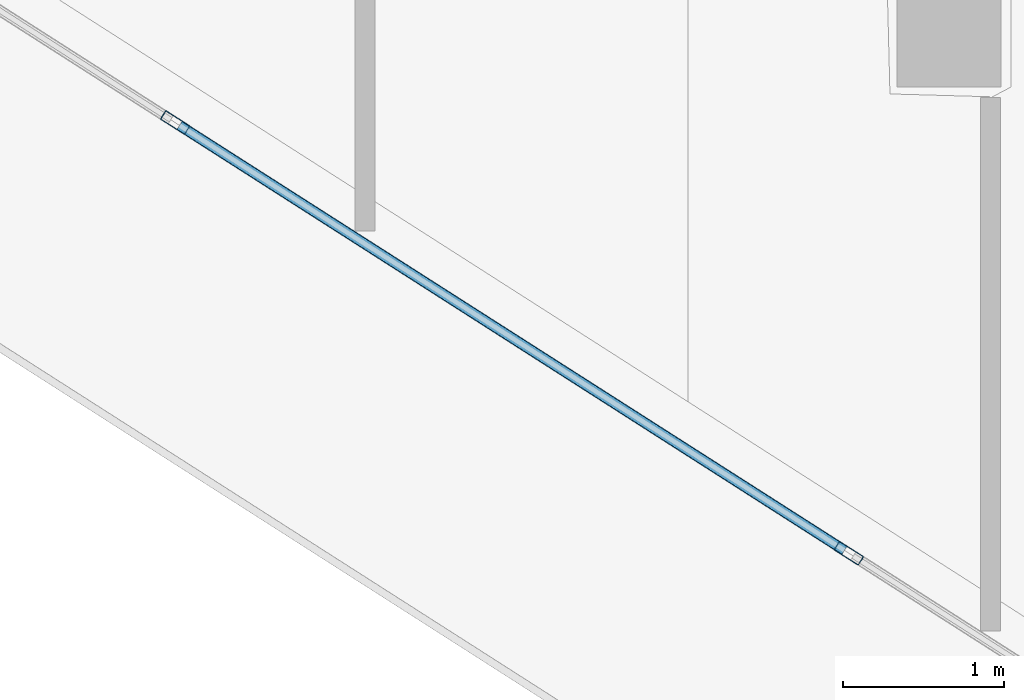
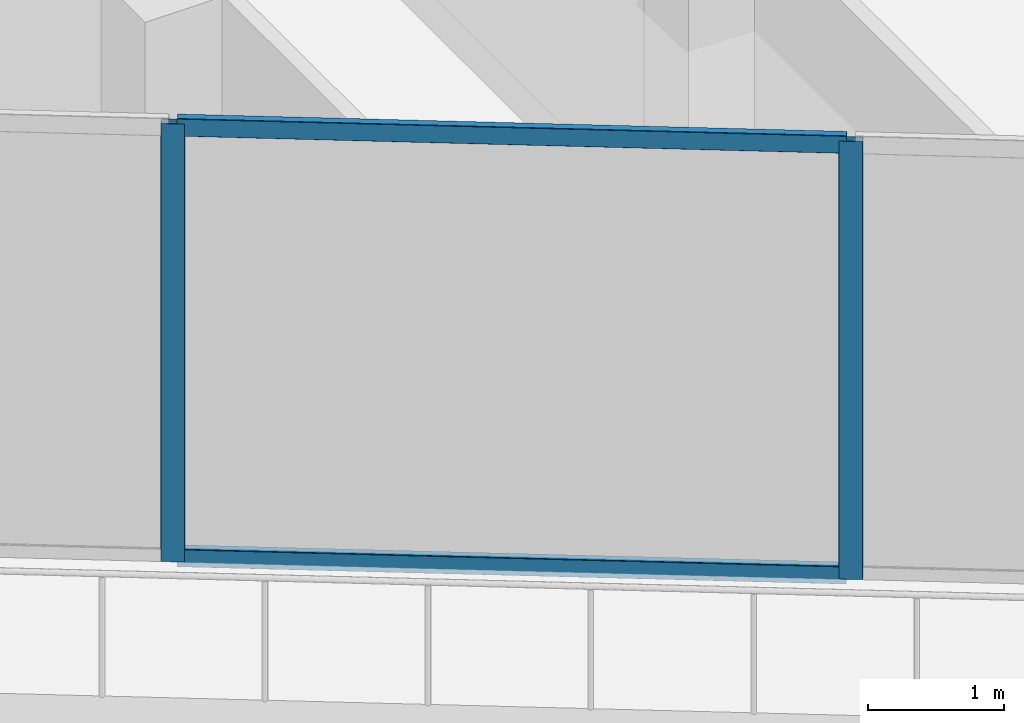
# One storey, part 2 of 44: 4 members, 1 element without a shape of its own.
"""IFC4 building model written with IfcOpenShell, lengths in metres."""

from ifc_helpers import new_model, si_unit, direction, frame, origin, origin_2d, place, context, subcontext, project, spatial, hollow_rectangle, extrude, material, layer, layer_set, material_profile, profile_set, type_object, element, aggregate, save


model = new_model("IFC4")

# Units and contexts
model_context = context("Model", 3, precision=1e-05, world=origin(), true_north=direction((0.0, 1.0)))
body_context = subcontext(model_context, "Body", "Model", "MODEL_VIEW")
ifc_project = project(units=[si_unit("LENGTHUNIT", "METRE"), si_unit("AREAUNIT", "SQUARE_METRE"), si_unit("VOLUMEUNIT", "CUBIC_METRE"), si_unit("PLANEANGLEUNIT", "RADIAN"), si_unit("MASSUNIT", "GRAM", prefix="KILO")], contexts=[model_context])

# Site, building, storey
site_placement = place(None, origin())
site = spatial("IfcSite", under=ifc_project, at=site_placement, CompositionType="ELEMENT")
building_placement = place(site_placement, origin())
building = spatial("IfcBuilding", under=site, at=building_placement, Name="Qorvath Tower", CompositionType="ELEMENT")
storey_placement = place(building_placement, frame((0.0, 0.0, 53.39990234375)))
storey = spatial("IfcBuildingStorey", under=building, at=storey_placement, Name="L11", CompositionType="ELEMENT", Elevation=53.39990234375)

# Curtain wall, members
ifc_material_1 = material(Name="Anodised aluminium and triple low-E glass", Category="aluminium")
ifc_layer = layer(ifc_material_1, 0.179931640625)
ifc_layer_set = layer_set([ifc_layer], Name="CW-SYS-2")
curtain_wall_type = type_object("IfcCurtainWallType", Name="CW-SYS-2", PredefinedType="NOTDEFINED", material=ifc_layer_set)
curtain_wall_placement = place(storey_placement, origin())
curtain_wall = element("IfcCurtainWall", 1, at=curtain_wall_placement, inside=storey, type_object=curtain_wall_type, Name="Curtain Wall CW-2 CW-T-L11-2.2", PredefinedType="NOTDEFINED")
ifc_material_2 = material(Name="Anodised aluminium 6063-T6", Category="aluminium")
ifc_material_profile_1 = material_profile(ifc_material_2, hollow_rectangle(XDim=0.06494140625, YDim=0.179931640625, WallThickness=0.00341796875, InnerFilletRadius=0.00341796875, OuterFilletRadius=0.007080078125, at=origin_2d()), Name="CWM 180x65")
ifc_profile_set_1 = profile_set([ifc_material_profile_1], Name="Anodised aluminium 6063-T6")
member_type_1 = type_object("IfcMemberType", Name="CWM-180", PredefinedType="MULLION", material=ifc_profile_set_1)
member_1_placement = place(storey_placement, frame((-35.832763671875, -20.006103515625, 0.0), z_axis=(0.0, 0.0, 1.0), x_axis=(0.538536571861, 0.842602136698, 0.0)))
member_1 = element("IfcMember", 2, at=member_1_placement, type_object=member_type_1, Name="CW-2 mullion 2", PredefinedType="MULLION", context=body_context, shape_type="SweptSolid", body=[
    extrude(hollow_rectangle(XDim=0.06494140625, YDim=0.179931640625, WallThickness=0.00341796875, InnerFilletRadius=0.00341796875, OuterFilletRadius=0.007080078125, at=origin_2d()), origin(), (0.0, 0.0, 1.0), 3.920166015625),
])
member_2_placement = place(storey_placement, frame((-31.63916015625, -22.6865234375, 0.0), z_axis=(0.0, 0.0, 1.0), x_axis=(0.538536571861, 0.842602136698, 0.0)))
member_2 = element("IfcMember", 3, at=member_2_placement, type_object=member_type_1, Name="CW-2 mullion 3", PredefinedType="MULLION", context=body_context, shape_type="SweptSolid", body=[
    extrude(hollow_rectangle(XDim=0.06494140625, YDim=0.179931640625, WallThickness=0.00341796875, InnerFilletRadius=0.00341796875, OuterFilletRadius=0.007080078125, at=origin_2d()), origin(), (0.0, 0.0, 1.0), 3.920166015625),
])
ifc_material_3 = material(Name="Anodised aluminium 6063-T6", Category="aluminium")
ifc_material_profile_2 = material_profile(ifc_material_3, hollow_rectangle(XDim=0.06494140625, YDim=0.159912109375, WallThickness=0.00341796875, InnerFilletRadius=0.00341796875, OuterFilletRadius=0.007080078125, at=origin_2d()), Name="CWT 160x65")
ifc_profile_set_2 = profile_set([ifc_material_profile_2], Name="Anodised aluminium 6063-T6")
member_type_2 = type_object("IfcMemberType", Name="CWT-160", PredefinedType="USERDEFINED", material=ifc_profile_set_2)
member_3_placement = place(storey_placement, frame((-35.805419921875, -20.023681640625, 0.032470703125), z_axis=(0.84260792766, -0.538527511131, 0.0), x_axis=(0.538527511131, 0.84260792766, 0.0)))
member_3 = element("IfcMember", 4, at=member_3_placement, type_object=member_type_2, Name="CW-2 transom 2.1", ObjectType="TRANSOM", PredefinedType="USERDEFINED", context=body_context, shape_type="SweptSolid", body=[
    extrude(hollow_rectangle(XDim=0.06494140625, YDim=0.159912109375, WallThickness=0.00341796875, InnerFilletRadius=0.00341796875, OuterFilletRadius=0.007080078125, at=origin_2d()), origin(), (0.0, 0.0, 1.0), 4.912109375),
])
member_4_placement = place(storey_placement, frame((-35.805419921875, -20.023681640625, 3.8876953125), z_axis=(0.84260792766, -0.538527511131, 0.0), x_axis=(0.538527511131, 0.84260792766, 0.0)))
member_4 = element("IfcMember", 5, at=member_4_placement, type_object=member_type_2, Name="CW-2 transom 2.2", ObjectType="TRANSOM", PredefinedType="USERDEFINED", context=body_context, shape_type="SweptSolid", body=[
    extrude(hollow_rectangle(XDim=0.06494140625, YDim=0.159912109375, WallThickness=0.00341796875, InnerFilletRadius=0.00341796875, OuterFilletRadius=0.007080078125, at=origin_2d()), origin(), (0.0, 0.0, 1.0), 4.912109375),
])
aggregate(curtain_wall, [member_1, member_2, member_3, member_4])

save(model, "model.ifc")
